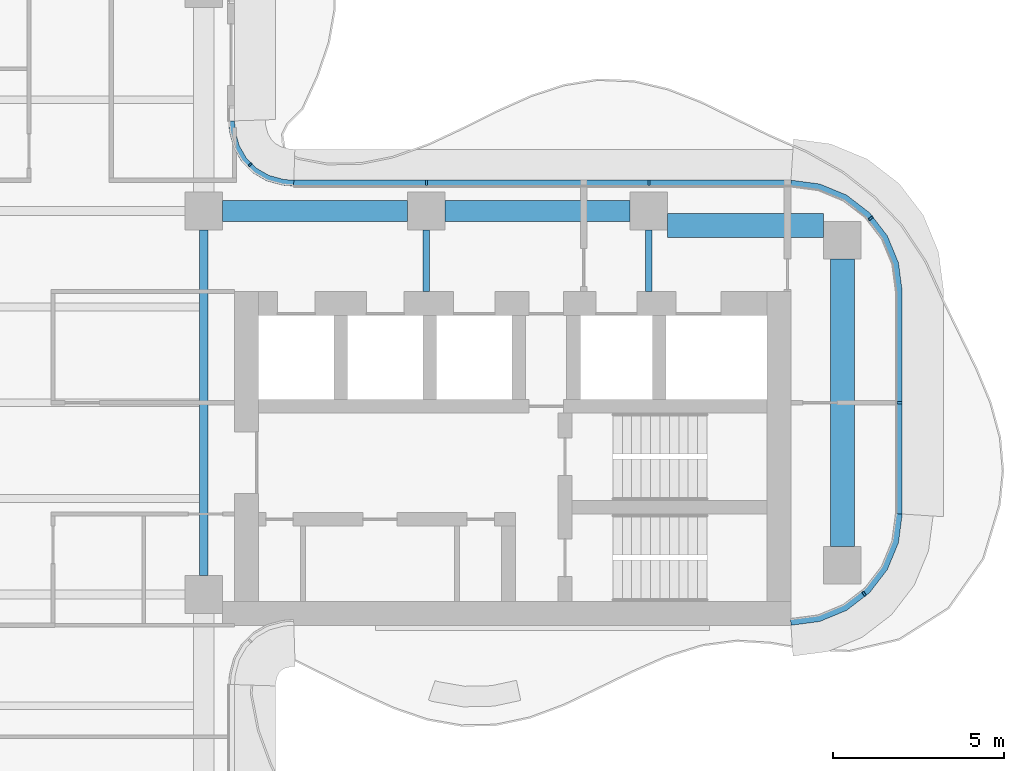
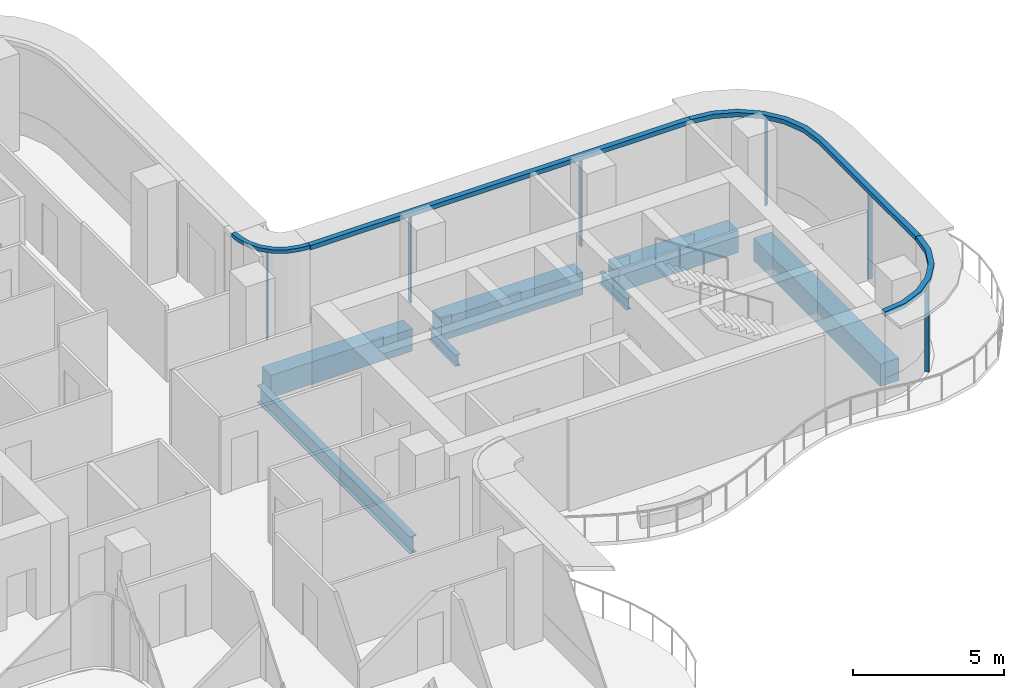
# One storey, part 6 of 16: 10 members, 7 beams, 4 elements without a shape of their own.
"""IFC4 building model written with IfcOpenShell, lengths in metres."""

from ifc_helpers import new_model, si_unit, direction, frame, origin, origin_2d, place, context, subcontext, project, spatial, polyline, rectangle, i_section, outline, extrude, source, transform, mapped, material, layer, layer_set, material_profile, profile_set, type_object, element, aggregate, save


model = new_model("IFC4")

# Units and contexts
model_context = context("Model", 3, precision=1e-05, world=origin(), true_north=direction((0.0, 1.0)))
body_context = subcontext(model_context, "Body", "Model", "MODEL_VIEW")
ifc_project = project(units=[si_unit("LENGTHUNIT", "METRE"), si_unit("AREAUNIT", "SQUARE_METRE"), si_unit("VOLUMEUNIT", "CUBIC_METRE"), si_unit("PLANEANGLEUNIT", "RADIAN"), si_unit("MASSUNIT", "GRAM", prefix="KILO")], contexts=[model_context])

# Site, building, storey
site_placement = place(None, origin())
site = spatial("IfcSite", under=ifc_project, at=site_placement, CompositionType="ELEMENT")
building_placement = place(site_placement, origin())
building = spatial("IfcBuilding", under=site, at=building_placement, Name="Trellis Farm Tower", CompositionType="ELEMENT")
storey_placement = place(building_placement, frame((0.0, 0.0, 255.800048828125)))
storey = spatial("IfcBuildingStorey", under=building, at=storey_placement, Name="L57", CompositionType="ELEMENT", Elevation=255.800048828125)

# Beams
ifc_material_1 = material(Name="Steel S355", Category="steel")
ifc_material_profile_1 = material_profile(ifc_material_1, i_section(OverallWidth=0.253662109375, OverallDepth=0.68359375, WebThickness=0.012451171875, FlangeThickness=0.021728515625, FilletRadius=0.01513671875, at=origin_2d()), Name="UB 686x254x140")
ifc_profile_set_1 = profile_set([ifc_material_profile_1], Name="Steel S355")
beam_type_1 = type_object("IfcBeamType", Name="UB 686x254x140", PredefinedType="BEAM", material=ifc_profile_set_1)
shared_shape_1 = source(origin(), body_context, "Body", "SweptSolid", [
    extrude(i_section(OverallWidth=0.253662109375, OverallDepth=0.68359375, WebThickness=0.012451171875, FlangeThickness=0.021728515625, FilletRadius=0.01513671875, at=origin_2d()), origin(), (0.0, 0.0, 1.0), 10.10009765625),
])
beam_1_placement = place(storey_placement, frame((5.60009765625, -5.050048828125, -0.541748046875), z_axis=(0.0, 1.0, 0.0), x_axis=(-1.0, 0.0, 0.0)))
element("IfcBeam", 1, at=beam_1_placement, inside=storey, type_object=beam_type_1, Name="Girder", PredefinedType="BEAM", context=body_context, shape_type="MappedRepresentation", body=[
    mapped(shared_shape_1, transform((0.0, 0.0, 0.0))),
])
ifc_material_profile_2 = material_profile(ifc_material_1, i_section(OverallWidth=0.1904296875, OverallDepth=0.45703125, WebThickness=0.009033203125, FlangeThickness=0.014404296875, FilletRadius=0.01025390625, at=origin_2d()), Name="UB 457x191x74")
ifc_profile_set_2 = profile_set([ifc_material_profile_2], Name="Steel S355")
beam_type_2 = type_object("IfcBeamType", Name="UB 457x191x74", PredefinedType="BEAM", material=ifc_profile_set_2)
shared_shape_2 = source(origin(), body_context, "Body", "SweptSolid", [
    extrude(i_section(OverallWidth=0.1904296875, OverallDepth=0.45703125, WebThickness=0.009033203125, FlangeThickness=0.014404296875, FilletRadius=0.01025390625, at=origin_2d()), origin(), (0.0, 0.0, 1.0), 1.800048828125),
])
for number, where, z_axis, x_axis, name in (
    (2, (12.10009765625, 3.25, -0.428466796875), (0.0, 1.0, 0.0), (-1.0, 0.0, 0.0), "Girder"),
    (3, (18.60009765625, 3.25, -0.428466796875), (0.0, 1.0, 0.0), (-1.0, 0.0, 0.0), "Girder"),
):
    element("IfcBeam", number, at=place(storey_placement, frame(where, z_axis=z_axis, x_axis=x_axis)), inside=storey, type_object=beam_type_2, Name=name, PredefinedType="BEAM", context=body_context, shape_type="MappedRepresentation", body=[
        mapped(shared_shape_2, transform((0.0, 0.0, 0.0))),
    ])
ifc_material_2 = material(Name="Concrete C60/75", Category="concrete")
ifc_material_profile_3 = material_profile(ifc_material_2, rectangle(XDim=0.60009765625, YDim=0.89990234375, at=origin_2d()), Name="RC spandrel beam 600x900 C60/75")
ifc_profile_set_3 = profile_set([ifc_material_profile_3], Name="Concrete C60/75")
beam_type_3 = type_object("IfcBeamType", Name="RC spandrel beam 600x900 C60/75", PredefinedType="SPANDREL", material=ifc_profile_set_3)
shared_shape_3 = source(origin(), body_context, "Body", "SweptSolid", [
    extrude(rectangle(XDim=0.60009765625, YDim=0.89990234375, at=origin_2d()), origin(), (0.0, 0.0, 1.0), 5.400146484375),
])
for number, where, z_axis, x_axis, name in (
    (4, (6.14990234375, 5.60009765625, -0.650146484375), (1.0, 0.0, 0.0), (0.0, 1.0, 0.0), "Girder"),
    (5, (12.64990234375, 5.60009765625, -0.650146484375), (1.0, 0.0, 0.0), (0.0, 1.0, 0.0), "Girder"),
):
    element("IfcBeam", number, at=place(storey_placement, frame(where, z_axis=z_axis, x_axis=x_axis)), inside=storey, type_object=beam_type_3, Name=name, PredefinedType="SPANDREL", context=body_context, shape_type="MappedRepresentation", body=[
        mapped(shared_shape_3, transform((0.0, 0.0, 0.0))),
    ])
ifc_material_profile_4 = material_profile(ifc_material_2, rectangle(XDim=0.699951171875, YDim=0.89990234375, at=origin_2d()), Name="RC spandrel beam 700x900 C60/75")
ifc_profile_set_4 = profile_set([ifc_material_profile_4], Name="Concrete C60/75")
beam_type_4 = type_object("IfcBeamType", Name="RC spandrel beam 700x900 C60/75", PredefinedType="SPANDREL", material=ifc_profile_set_4)
shared_shape_4 = source(origin(), body_context, "Body", "SweptSolid", [
    extrude(rectangle(XDim=0.699951171875, YDim=0.89990234375, at=origin_2d()), origin(), (0.0, 0.0, 1.0), 8.39990234375),
])
beam_2_placement = place(storey_placement, frame((24.25, -4.199951171875, -0.650146484375), z_axis=(0.0, 1.0, 0.0), x_axis=(-1.0, 0.0, 0.0)))
element("IfcBeam", 6, at=beam_2_placement, inside=storey, type_object=beam_type_4, Name="Girder", PredefinedType="SPANDREL", context=body_context, shape_type="MappedRepresentation", body=[
    mapped(shared_shape_4, transform((0.0, 0.0, 0.0))),
])
shared_shape_5 = source(origin(), body_context, "Body", "SweptSolid", [
    extrude(rectangle(XDim=0.699951171875, YDim=0.89990234375, at=origin_2d()), origin(), (0.0, 0.0, 1.0), 4.550048828125),
])
beam_3_placement = place(storey_placement, frame((19.14990234375, 5.175048828125, -0.650146484375), z_axis=(1.0, 0.0, 0.0), x_axis=(0.0, 1.0, 0.0)))
element("IfcBeam", 7, at=beam_3_placement, inside=storey, type_object=beam_type_4, Name="Girder", PredefinedType="SPANDREL", context=body_context, shape_type="MappedRepresentation", body=[
    mapped(shared_shape_5, transform((0.0, 0.0, 0.0))),
])

# Curtain wall, member
ifc_material_3 = material(Name="Aluminium and glass curtain wall", Category="aluminium")
ifc_layer_1 = layer(ifc_material_3, 0.166015625)
ifc_layer_set_1 = layer_set([ifc_layer_1], Name="WINTER GARDEN CURTAIN WALL CW3")
curtain_wall_type_1 = type_object("IfcCurtainWallType", Name="WINTER GARDEN CURTAIN WALL CW3", PredefinedType="NOTDEFINED", material=ifc_layer_set_1)
placement_1 = place(storey_placement, origin())
curtain_wall_1 = element("IfcCurtainWall", 8, at=placement_1, inside=storey, type_object=curtain_wall_type_1, Name="CW3 003", PredefinedType="NOTDEFINED")
ifc_material_4 = material(Name="Aluminium extrusion 6063-T6", Category="aluminium")
ifc_layer_2 = layer(ifc_material_4, 0.169921875)
ifc_layer_set_2 = layer_set([ifc_layer_2], Name="Aluminium extrusion 6063-T6")
member_type_1 = type_object("IfcMemberType", Name="CW3 TRANSOM 170x150", PredefinedType="USERDEFINED", material=ifc_layer_set_2)
shared_shape_6 = source(origin(), body_context, "Body", "SweptSolid", [
    extrude(outline(polyline([(8.2314453125, 6.5), (8.01953125, 6.513916015625), (7.91552734375, 6.527587890625), (7.508544921875, 6.63671875), (7.144287109375, 6.846923828125), (6.846923828125, 7.144287109375), (6.63671875, 7.508544921875), (6.527587890625, 7.91552734375), (6.513916015625, 8.01953125), (6.5, 8.2314453125), (6.330078125, 8.225830078125), (6.3447265625, 8.0029296875), (6.360595703125, 7.88232421875), (6.478271484375, 7.44287109375), (6.7109375, 7.0400390625), (7.0400390625, 6.7109375), (7.44287109375, 6.478271484375), (7.88232421875, 6.360595703125), (8.0029296875, 6.3447265625), (8.225830078125, 6.330078125), (8.2314453125, 6.5)])), origin(), (0.0, 0.0, 1.0), 0.14990234375),
])
member_1_placement = place(storey_placement, frame((0.0, 0.0, 3.550048828125)))
member_1 = element("IfcMember", 9, at=member_1_placement, type_object=member_type_1, Name="TR3 003", ObjectType="TRANSOM", PredefinedType="USERDEFINED", context=body_context, shape_type="MappedRepresentation", body=[
    mapped(shared_shape_6, transform((0.0, 0.0, 0.0))),
])

ifc_layer_3 = layer(ifc_material_3, 0.18994140625)
ifc_layer_set_3 = layer_set([ifc_layer_3], Name="RIBBON CURTAIN WALL CW1")
curtain_wall_type_2 = type_object("IfcCurtainWallType", Name="RIBBON CURTAIN WALL CW1", PredefinedType="NOTDEFINED", material=ifc_layer_set_3)
curtain_wall_2 = element("IfcCurtainWall", 10, at=placement_1, inside=storey, type_object=curtain_wall_type_2, Name="CW1 005", PredefinedType="NOTDEFINED")
ifc_material_profile_5 = material_profile(ifc_material_4, rectangle(XDim=0.06005859375, YDim=0.14990234375, at=origin_2d()), Name="MULLION 60x150")
ifc_profile_set_5 = profile_set([ifc_material_profile_5], Name="Aluminium extrusion 6063-T6")
member_type_2 = type_object("IfcMemberType", Name="CW1 MULLION 60x150", PredefinedType="MULLION", material=ifc_profile_set_5)
shared_shape_7 = source(origin(), body_context, "Body", "SweptSolid", [
    extrude(rectangle(XDim=0.06005859375, YDim=0.14990234375, at=origin_2d()), origin(), (0.0, 0.0, 1.0), 3.52001953125),
])
member_2_placement = place(storey_placement, frame((24.885498046875, -5.578369140625, 0.0), z_axis=(0.0, 0.0, 1.0), x_axis=(0.793353340291, 0.608761429009, 0.0)))
member_2 = element("IfcMember", 11, at=member_2_placement, type_object=member_type_2, Name="MU1 005-01", PredefinedType="MULLION", context=body_context, shape_type="MappedRepresentation", body=[
    mapped(shared_shape_7, transform((0.0, 0.0, 0.0))),
])

# Curtain wall, members
curtain_wall_3 = element("IfcCurtainWall", 12, at=placement_1, inside=storey, type_object=curtain_wall_type_2, Name="CW1 006", PredefinedType="NOTDEFINED")
member_3_placement = place(storey_placement, frame((25.925048828125, 0.0, 0.0), z_axis=(0.0, 0.0, 1.0), x_axis=(0.0, 1.0, 0.0)))
member_3 = element("IfcMember", 13, at=member_3_placement, type_object=member_type_2, Name="MU1 006-01", PredefinedType="MULLION", context=body_context, shape_type="MappedRepresentation", body=[
    mapped(shared_shape_7, transform((0.0, 0.0, 0.0))),
])
member_4_placement = place(storey_placement, frame((25.078369140625, 5.385498046875, 0.0), z_axis=(0.0, 0.0, 1.0), x_axis=(-0.608761429009, 0.793353340291, 0.0)))
member_4 = element("IfcMember", 14, at=member_4_placement, type_object=member_type_2, Name="MU1 006-02", PredefinedType="MULLION", context=body_context, shape_type="MappedRepresentation", body=[
    mapped(shared_shape_7, transform((0.0, 0.0, 0.0))),
])

curtain_wall_4 = element("IfcCurtainWall", 15, at=placement_1, inside=storey, type_object=curtain_wall_type_2, Name="CW1 007", PredefinedType="NOTDEFINED")
member_5_placement = place(storey_placement, frame((18.60009765625, 6.425048828125, 0.0), z_axis=(0.0, 0.0, 1.0), x_axis=(-1.0, 0.0, 0.0)))
member_5 = element("IfcMember", 16, at=member_5_placement, type_object=member_type_2, Name="MU1 007-01", PredefinedType="MULLION", context=body_context, shape_type="MappedRepresentation", body=[
    mapped(shared_shape_7, transform((0.0, 0.0, 0.0))),
])
member_6_placement = place(storey_placement, frame((12.10009765625, 6.425048828125, 0.0), z_axis=(0.0, 0.0, 1.0), x_axis=(-1.0, 0.0, 0.0)))
member_6 = element("IfcMember", 17, at=member_6_placement, type_object=member_type_2, Name="MU1 007-02", PredefinedType="MULLION", context=body_context, shape_type="MappedRepresentation", body=[
    mapped(shared_shape_7, transform((0.0, 0.0, 0.0))),
])

# Member
ifc_material_profile_6 = material_profile(ifc_material_4, rectangle(XDim=0.050048828125, YDim=0.1201171875, at=origin_2d()), Name="MULLION 50x120")
ifc_profile_set_6 = profile_set([ifc_material_profile_6], Name="Aluminium extrusion 6063-T6")
member_type_3 = type_object("IfcMemberType", Name="CW3 MULLION 50x120", PredefinedType="MULLION", material=ifc_profile_set_6)
shared_shape_8 = source(origin(), body_context, "Body", "SweptSolid", [
    extrude(rectangle(XDim=0.050048828125, YDim=0.1201171875, at=origin_2d()), origin(), (0.0, 0.0, 1.0), 3.550048828125),
])
member_7_placement = place(storey_placement, frame((6.953125, 6.953125, 0.0), z_axis=(0.0, 0.0, 1.0), x_axis=(-0.707106781187, 0.707106781187, 0.0)))
member_7 = element("IfcMember", 18, at=member_7_placement, type_object=member_type_3, Name="MU3 003-01", PredefinedType="MULLION", context=body_context, shape_type="MappedRepresentation", body=[
    mapped(shared_shape_8, transform((0.0, 0.0, 0.0))),
])

aggregate(curtain_wall_1, [member_7, member_1])

ifc_layer_4 = layer(ifc_material_4, 0.199951171875)
ifc_layer_set_4 = layer_set([ifc_layer_4], Name="Aluminium extrusion 6063-T6")
member_type_4 = type_object("IfcMemberType", Name="CW1 TRANSOM 200x180", PredefinedType="USERDEFINED", material=ifc_layer_set_4)
shared_shape_9 = source(origin(), body_context, "Body", "SweptSolid", [
    extrude(outline(polyline([(22.75, -6.5), (23.591064453125, -6.38916015625), (24.375, -6.064697265625), (25.048095703125, -5.548095703125), (25.564697265625, -4.875), (25.88916015625, -4.091064453125), (26.0, -3.25), (25.800048828125, -3.23681640625), (25.6943359375, -4.0390625), (25.389892578125, -4.774169921875), (24.905517578125, -5.405517578125), (24.274169921875, -5.889892578125), (23.5390625, -6.1943359375), (22.73681640625, -6.300048828125), (22.75, -6.5)])), origin(), (0.0, 0.0, 1.0), 0.179931640625),
])
placement_2 = place(storey_placement, frame((0.0, 0.0, 3.52001953125)))
member_8 = element("IfcMember", 19, at=placement_2, type_object=member_type_4, Name="TR1 005", ObjectType="TRANSOM", PredefinedType="USERDEFINED", context=body_context, shape_type="MappedRepresentation", body=[
    mapped(shared_shape_9, transform((0.0, 0.0, 0.0))),
])

aggregate(curtain_wall_2, [member_2, member_8])

shared_shape_10 = source(origin(), body_context, "Body", "SweptSolid", [
    extrude(outline(polyline([(22.75, 6.5), (8.2314453125, 6.5), (8.224853515625, 6.300048828125), (22.73681640625, 6.300048828125), (22.75, 6.5)])), origin(), (0.0, 0.0, 1.0), 0.179931640625),
])
member_9 = element("IfcMember", 20, at=placement_2, type_object=member_type_4, Name="TR1 007", ObjectType="TRANSOM", PredefinedType="USERDEFINED", context=body_context, shape_type="MappedRepresentation", body=[
    mapped(shared_shape_10, transform((0.0, 0.0, 0.0))),
])

aggregate(curtain_wall_4, [member_5, member_6, member_9])

shared_shape_11 = source(origin(), body_context, "Body", "SweptSolid", [
    extrude(outline(polyline([(26.0, -3.25), (26.0, 3.25), (25.88916015625, 4.091064453125), (25.564697265625, 4.875), (25.048095703125, 5.548095703125), (24.375, 6.064697265625), (23.591064453125, 6.38916015625), (22.75, 6.5), (22.73681640625, 6.300048828125), (23.5390625, 6.1943359375), (24.274169921875, 5.889892578125), (24.905517578125, 5.405517578125), (25.389892578125, 4.774169921875), (25.6943359375, 4.0390625), (25.800048828125, 3.23681640625), (25.800048828125, -3.23681640625), (26.0, -3.25)])), origin(), (0.0, 0.0, 1.0), 0.179931640625),
])
member_10 = element("IfcMember", 21, at=placement_2, type_object=member_type_4, Name="TR1 006", ObjectType="TRANSOM", PredefinedType="USERDEFINED", context=body_context, shape_type="MappedRepresentation", body=[
    mapped(shared_shape_11, transform((0.0, 0.0, 0.0))),
])

aggregate(curtain_wall_3, [member_3, member_4, member_10])

save(model, "model.ifc")
